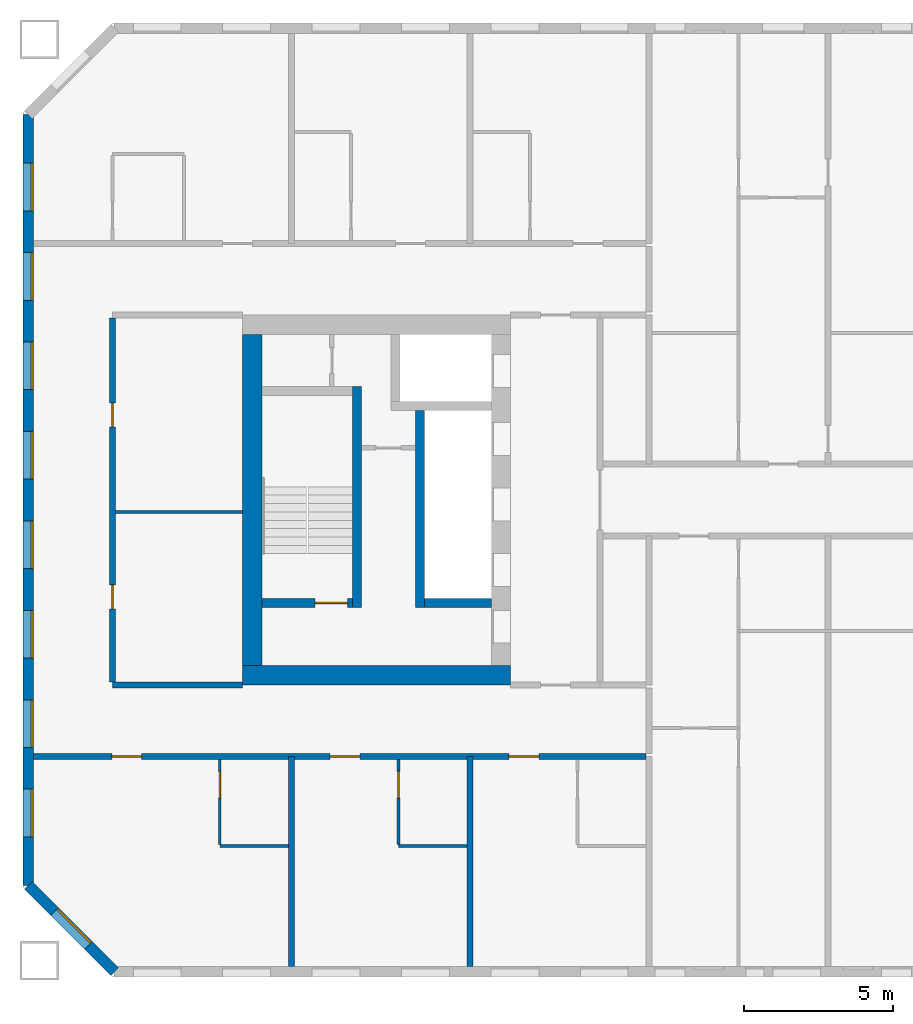
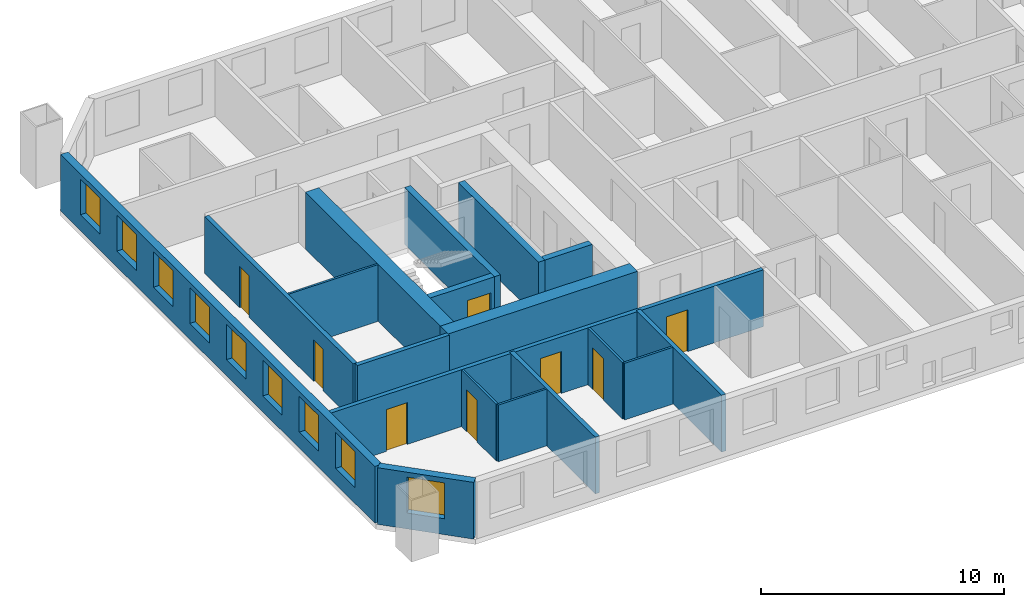
# One storey, part 2 of 16: 18 walls, 9 windows, 8 doors, 17 openings.
"""IFC4 building model written with IfcOpenShell, lengths in metres."""

from ifc_helpers import new_model, si_unit, direction, frame, frame_2d, origin, place, context, subcontext, project, spatial, rectangle, extrude, material, layer, layer_set, type_object, element, fill, save


model = new_model("IFC4")

# Units and contexts
model_context = context("Model", 3, precision=1e-05, world=origin(), true_north=direction((0.0, 1.0)))
body_context = subcontext(model_context, "Body", "Model", "MODEL_VIEW")
ifc_project = project(units=[si_unit("LENGTHUNIT", "METRE"), si_unit("AREAUNIT", "SQUARE_METRE"), si_unit("VOLUMEUNIT", "CUBIC_METRE"), si_unit("PLANEANGLEUNIT", "RADIAN"), si_unit("MASSUNIT", "GRAM", prefix="KILO")], contexts=[model_context])

# Site, building, storey
site_placement = place(None, origin())
site = spatial("IfcSite", under=ifc_project, at=site_placement, CompositionType="ELEMENT")
building_placement = place(site_placement, origin())
building = spatial("IfcBuilding", under=site, at=building_placement, Name="Tuart Gate Housing", CompositionType="ELEMENT")
storey_placement = place(building_placement, frame((0.0, 0.0, 111.89990234375)))
storey = spatial("IfcBuildingStorey", under=building, at=storey_placement, Name="L31", CompositionType="ELEMENT", Elevation=111.89990234375)

# Wall, opening, window
ifc_material_1 = material(Name="Brick", Category="masonry")
ifc_layer_1 = layer(ifc_material_1, 0.360107421875)
ifc_layer_set_1 = layer_set([ifc_layer_1], Name="Brick pier and spandrel wall 360")
wall_type_1 = type_object("IfcWallType", Name="Brick pier and spandrel wall 360", PredefinedType="STANDARD", material=ifc_layer_set_1)
wall_1_placement = place(storey_placement, frame((25.179931640625, 57.07470703125, 0.0), z_axis=(0.0, 0.0, 1.0), x_axis=(0.707106781187, -0.707106781187, 0.0)))
wall_1 = element("IfcWall", 1, at=wall_1_placement, inside=storey, type_object=wall_type_1, Name="External wall A-SW L31", PredefinedType="STANDARD", context=body_context, shape_type="SweptSolid", body=[
    extrude(rectangle(XDim=4.09375, YDim=0.360107421875, at=frame_2d((2.046875, 0.0))), origin(), (0.0, 0.0, 1.0), 2.85009765625),
])
opening_1_placement = place(wall_1_placement, frame((1.2470703125, 0.0, 0.800048828125)))
opening_1 = element("IfcOpeningElement", 2, at=opening_1_placement, cuts=wall_1, Name="Opening W1", PredefinedType="OPENING", context=body_context, shape_type="SweptSolid", body=[
    extrude(rectangle(XDim=1.60009765625, YDim=1.800048828125, at=frame_2d((0.800048828125, 0.89990234375))), frame((0.0, 0.18994140625, 0.0), z_axis=(0.0, -1.0, 0.0), x_axis=(1.0, 0.0, 0.0)), (0.0, 0.0, 1.0), 0.380126953125),
])
ifc_material_2 = material(Name="Aluminium frame with clear glass", Category="aluminium")
window_type = type_object("IfcWindowType", Name="Punched window 1600 x 1800", PartitioningType="SINGLE_PANEL", PredefinedType="WINDOW", material=ifc_material_2)
window_1_placement = place(opening_1_placement, origin())
window_1 = element("IfcWindow", 3, at=window_1_placement, inside=storey, type_object=window_type, Name="Window W1", OverallHeight=1.800048828125, OverallWidth=1.60009765625, PartitioningType="SINGLE_PANEL", PredefinedType="WINDOW", context=body_context, shape_type="SweptSolid", body=[
    extrude(rectangle(XDim=1.60009765625, YDim=1.800048828125, at=frame_2d((0.800048828125, 0.89990234375))), frame((0.0, 0.150146484375, 0.0), z_axis=(0.0, -1.0, 0.0), x_axis=(1.0, 0.0, 0.0)), (0.0, 0.0, 1.0), 0.06005859375),
])
fill(opening_1, window_1)

# Wall, openings, windows
wall_2_placement = place(storey_placement, frame((25.179931640625, 82.92529296875, 0.0), z_axis=(0.0, 0.0, 1.0), x_axis=(0.0, -1.0, 0.0)))
wall_2 = element("IfcWall", 4, at=wall_2_placement, inside=storey, type_object=wall_type_1, Name="External wall A-W L31", PredefinedType="STANDARD", context=body_context, shape_type="SweptSolid", body=[
    extrude(rectangle(XDim=25.850830078125, YDim=0.360107421875, at=frame_2d((12.92529296875, 0.0))), origin(), (0.0, 0.0, 1.0), 2.85009765625),
])
opening_2_placement = place(wall_2_placement, frame((1.62548828125, 0.0, 0.800048828125)))
opening_2 = element("IfcOpeningElement", 5, at=opening_2_placement, cuts=wall_2, Name="Opening W1", PredefinedType="OPENING", context=body_context, shape_type="SweptSolid", body=[
    extrude(rectangle(XDim=1.60009765625, YDim=1.800048828125, at=frame_2d((0.800048828125, 0.89990234375))), frame((0.0, 0.18994140625, 0.0), z_axis=(0.0, -1.0, 0.0), x_axis=(1.0, 0.0, 0.0)), (0.0, 0.0, 1.0), 0.380126953125),
])
opening_3_placement = place(wall_2_placement, frame((4.62548828125, 0.0, 0.800048828125)))
opening_3 = element("IfcOpeningElement", 6, at=opening_3_placement, cuts=wall_2, Name="Opening W1", PredefinedType="OPENING", context=body_context, shape_type="SweptSolid", body=[
    extrude(rectangle(XDim=1.60009765625, YDim=1.800048828125, at=frame_2d((0.800048828125, 0.89990234375))), frame((0.0, 0.18994140625, 0.0), z_axis=(0.0, -1.0, 0.0), x_axis=(1.0, 0.0, 0.0)), (0.0, 0.0, 1.0), 0.380126953125),
])
opening_4_placement = place(wall_2_placement, frame((7.62548828125, 0.0, 0.800048828125)))
opening_4 = element("IfcOpeningElement", 7, at=opening_4_placement, cuts=wall_2, Name="Opening W1", PredefinedType="OPENING", context=body_context, shape_type="SweptSolid", body=[
    extrude(rectangle(XDim=1.60009765625, YDim=1.800048828125, at=frame_2d((0.800048828125, 0.89990234375))), frame((0.0, 0.18994140625, 0.0), z_axis=(0.0, -1.0, 0.0), x_axis=(1.0, 0.0, 0.0)), (0.0, 0.0, 1.0), 0.380126953125),
])
opening_5_placement = place(wall_2_placement, frame((10.62548828125, 0.0, 0.800048828125)))
opening_5 = element("IfcOpeningElement", 8, at=opening_5_placement, cuts=wall_2, Name="Opening W1", PredefinedType="OPENING", context=body_context, shape_type="SweptSolid", body=[
    extrude(rectangle(XDim=1.60009765625, YDim=1.800048828125, at=frame_2d((0.800048828125, 0.89990234375))), frame((0.0, 0.18994140625, 0.0), z_axis=(0.0, -1.0, 0.0), x_axis=(1.0, 0.0, 0.0)), (0.0, 0.0, 1.0), 0.380126953125),
])
opening_6_placement = place(wall_2_placement, frame((13.62548828125, 0.0, 0.800048828125)))
opening_6 = element("IfcOpeningElement", 9, at=opening_6_placement, cuts=wall_2, Name="Opening W1", PredefinedType="OPENING", context=body_context, shape_type="SweptSolid", body=[
    extrude(rectangle(XDim=1.60009765625, YDim=1.800048828125, at=frame_2d((0.800048828125, 0.89990234375))), frame((0.0, 0.18994140625, 0.0), z_axis=(0.0, -1.0, 0.0), x_axis=(1.0, 0.0, 0.0)), (0.0, 0.0, 1.0), 0.380126953125),
])
opening_7_placement = place(wall_2_placement, frame((16.62548828125, 0.0, 0.800048828125)))
opening_7 = element("IfcOpeningElement", 10, at=opening_7_placement, cuts=wall_2, Name="Opening W1", PredefinedType="OPENING", context=body_context, shape_type="SweptSolid", body=[
    extrude(rectangle(XDim=1.60009765625, YDim=1.800048828125, at=frame_2d((0.800048828125, 0.89990234375))), frame((0.0, 0.18994140625, 0.0), z_axis=(0.0, -1.0, 0.0), x_axis=(1.0, 0.0, 0.0)), (0.0, 0.0, 1.0), 0.380126953125),
])
opening_8_placement = place(wall_2_placement, frame((19.62548828125, 0.0, 0.800048828125)))
opening_8 = element("IfcOpeningElement", 11, at=opening_8_placement, cuts=wall_2, Name="Opening W1", PredefinedType="OPENING", context=body_context, shape_type="SweptSolid", body=[
    extrude(rectangle(XDim=1.60009765625, YDim=1.800048828125, at=frame_2d((0.800048828125, 0.89990234375))), frame((0.0, 0.18994140625, 0.0), z_axis=(0.0, -1.0, 0.0), x_axis=(1.0, 0.0, 0.0)), (0.0, 0.0, 1.0), 0.380126953125),
])
opening_9_placement = place(wall_2_placement, frame((22.62548828125, 0.0, 0.800048828125)))
opening_9 = element("IfcOpeningElement", 12, at=opening_9_placement, cuts=wall_2, Name="Opening W1", PredefinedType="OPENING", context=body_context, shape_type="SweptSolid", body=[
    extrude(rectangle(XDim=1.60009765625, YDim=1.800048828125, at=frame_2d((0.800048828125, 0.89990234375))), frame((0.0, 0.18994140625, 0.0), z_axis=(0.0, -1.0, 0.0), x_axis=(1.0, 0.0, 0.0)), (0.0, 0.0, 1.0), 0.380126953125),
])
window_2_placement = place(opening_2_placement, origin())
window_2 = element("IfcWindow", 13, at=window_2_placement, inside=storey, type_object=window_type, Name="Window W1", OverallHeight=1.800048828125, OverallWidth=1.60009765625, PartitioningType="SINGLE_PANEL", PredefinedType="WINDOW", context=body_context, shape_type="SweptSolid", body=[
    extrude(rectangle(XDim=1.60009765625, YDim=1.800048828125, at=frame_2d((0.800048828125, 0.89990234375))), frame((0.0, 0.150146484375, 0.0), z_axis=(0.0, -1.0, 0.0), x_axis=(1.0, 0.0, 0.0)), (0.0, 0.0, 1.0), 0.06005859375),
])
fill(opening_2, window_2)
window_3_placement = place(opening_3_placement, origin())
window_3 = element("IfcWindow", 14, at=window_3_placement, inside=storey, type_object=window_type, Name="Window W1", OverallHeight=1.800048828125, OverallWidth=1.60009765625, PartitioningType="SINGLE_PANEL", PredefinedType="WINDOW", context=body_context, shape_type="SweptSolid", body=[
    extrude(rectangle(XDim=1.60009765625, YDim=1.800048828125, at=frame_2d((0.800048828125, 0.89990234375))), frame((0.0, 0.150146484375, 0.0), z_axis=(0.0, -1.0, 0.0), x_axis=(1.0, 0.0, 0.0)), (0.0, 0.0, 1.0), 0.06005859375),
])
fill(opening_3, window_3)
window_4_placement = place(opening_4_placement, origin())
window_4 = element("IfcWindow", 15, at=window_4_placement, inside=storey, type_object=window_type, Name="Window W1", OverallHeight=1.800048828125, OverallWidth=1.60009765625, PartitioningType="SINGLE_PANEL", PredefinedType="WINDOW", context=body_context, shape_type="SweptSolid", body=[
    extrude(rectangle(XDim=1.60009765625, YDim=1.800048828125, at=frame_2d((0.800048828125, 0.89990234375))), frame((0.0, 0.150146484375, 0.0), z_axis=(0.0, -1.0, 0.0), x_axis=(1.0, 0.0, 0.0)), (0.0, 0.0, 1.0), 0.06005859375),
])
fill(opening_4, window_4)
window_5_placement = place(opening_5_placement, origin())
window_5 = element("IfcWindow", 16, at=window_5_placement, inside=storey, type_object=window_type, Name="Window W1", OverallHeight=1.800048828125, OverallWidth=1.60009765625, PartitioningType="SINGLE_PANEL", PredefinedType="WINDOW", context=body_context, shape_type="SweptSolid", body=[
    extrude(rectangle(XDim=1.60009765625, YDim=1.800048828125, at=frame_2d((0.800048828125, 0.89990234375))), frame((0.0, 0.150146484375, 0.0), z_axis=(0.0, -1.0, 0.0), x_axis=(1.0, 0.0, 0.0)), (0.0, 0.0, 1.0), 0.06005859375),
])
fill(opening_5, window_5)
window_6_placement = place(opening_6_placement, origin())
window_6 = element("IfcWindow", 17, at=window_6_placement, inside=storey, type_object=window_type, Name="Window W1", OverallHeight=1.800048828125, OverallWidth=1.60009765625, PartitioningType="SINGLE_PANEL", PredefinedType="WINDOW", context=body_context, shape_type="SweptSolid", body=[
    extrude(rectangle(XDim=1.60009765625, YDim=1.800048828125, at=frame_2d((0.800048828125, 0.89990234375))), frame((0.0, 0.150146484375, 0.0), z_axis=(0.0, -1.0, 0.0), x_axis=(1.0, 0.0, 0.0)), (0.0, 0.0, 1.0), 0.06005859375),
])
fill(opening_6, window_6)
window_7_placement = place(opening_7_placement, origin())
window_7 = element("IfcWindow", 18, at=window_7_placement, inside=storey, type_object=window_type, Name="Window W1", OverallHeight=1.800048828125, OverallWidth=1.60009765625, PartitioningType="SINGLE_PANEL", PredefinedType="WINDOW", context=body_context, shape_type="SweptSolid", body=[
    extrude(rectangle(XDim=1.60009765625, YDim=1.800048828125, at=frame_2d((0.800048828125, 0.89990234375))), frame((0.0, 0.150146484375, 0.0), z_axis=(0.0, -1.0, 0.0), x_axis=(1.0, 0.0, 0.0)), (0.0, 0.0, 1.0), 0.06005859375),
])
fill(opening_7, window_7)
window_8_placement = place(opening_8_placement, origin())
window_8 = element("IfcWindow", 19, at=window_8_placement, inside=storey, type_object=window_type, Name="Window W1", OverallHeight=1.800048828125, OverallWidth=1.60009765625, PartitioningType="SINGLE_PANEL", PredefinedType="WINDOW", context=body_context, shape_type="SweptSolid", body=[
    extrude(rectangle(XDim=1.60009765625, YDim=1.800048828125, at=frame_2d((0.800048828125, 0.89990234375))), frame((0.0, 0.150146484375, 0.0), z_axis=(0.0, -1.0, 0.0), x_axis=(1.0, 0.0, 0.0)), (0.0, 0.0, 1.0), 0.06005859375),
])
fill(opening_8, window_8)
window_9_placement = place(opening_9_placement, origin())
window_9 = element("IfcWindow", 20, at=window_9_placement, inside=storey, type_object=window_type, Name="Window W1", OverallHeight=1.800048828125, OverallWidth=1.60009765625, PartitioningType="SINGLE_PANEL", PredefinedType="WINDOW", context=body_context, shape_type="SweptSolid", body=[
    extrude(rectangle(XDim=1.60009765625, YDim=1.800048828125, at=frame_2d((0.800048828125, 0.89990234375))), frame((0.0, 0.150146484375, 0.0), z_axis=(0.0, -1.0, 0.0), x_axis=(1.0, 0.0, 0.0)), (0.0, 0.0, 1.0), 0.06005859375),
])
fill(opening_9, window_9)

# Wall
ifc_material_3 = material(Name="Concrete C50", Category="concrete")
ifc_layer_2 = layer(ifc_material_3, 0.300048828125)
ifc_layer_set_2 = layer_set([ifc_layer_2], Name="Core wall 300 C50")
wall_type_2 = type_object("IfcWallType", Name="Core wall 300 C50", PredefinedType="SHEAR", material=ifc_layer_set_2)
wall_3_placement = place(storey_placement, frame((40.7099609375, 66.550048828125, 0.0), z_axis=(0.0, 0.0, 1.0), x_axis=(-1.0, 0.0, 0.0)))
element("IfcWall", 21, at=wall_3_placement, inside=storey, type_object=wall_type_2, Name="Core wall AK.4", PredefinedType="SHEAR", context=body_context, shape_type="SweptSolid", body=[
    extrude(rectangle(XDim=2.25, YDim=0.300048828125, at=frame_2d((1.125, 0.0))), origin(), (0.0, 0.0, 1.0), 2.85009765625),
])

# Wall, opening, door
wall_4_placement = place(storey_placement, frame((36.06005859375, 66.550048828125, 0.0), z_axis=(0.0, 0.0, 1.0), x_axis=(-1.0, 0.0, 0.0)))
wall_4 = element("IfcWall", 22, at=wall_4_placement, inside=storey, type_object=wall_type_2, Name="Core wall AK.5", PredefinedType="SHEAR", context=body_context, shape_type="SweptSolid", body=[
    extrude(rectangle(XDim=3.050048828125, YDim=0.300048828125, at=frame_2d((1.52490234375, 0.0))), origin(), (0.0, 0.0, 1.0), 2.85009765625),
])
opening_10_placement = place(wall_4_placement, frame((0.169921875, 0.0, 0.0)))
opening_10 = element("IfcOpeningElement", 23, at=opening_10_placement, cuts=wall_4, Name="Opening D1215", PredefinedType="OPENING", context=body_context, shape_type="SweptSolid", body=[
    extrude(rectangle(XDim=1.10009765625, YDim=2.10009765625, at=frame_2d((0.550048828125, 1.050048828125))), frame((0.0, 0.159912109375, 0.0), z_axis=(0.0, -1.0, 0.0), x_axis=(1.0, 0.0, 0.0)), (0.0, 0.0, 1.0), 0.320068359375),
])
ifc_material_4 = material(Name="Steel fire door", Category="steel")
door_type_1 = type_object("IfcDoorType", Name="Stair door 1100 x 2100 RH", OperationType="SINGLE_SWING_RIGHT", PredefinedType="DOOR", material=ifc_material_4)
door_1_placement = place(opening_10_placement, frame((1.10009765625, 0.0, 0.0), z_axis=(0.0, 0.0, 1.0), x_axis=(-1.0, 0.0, 0.0)))
door_1 = element("IfcDoor", 24, at=door_1_placement, inside=storey, type_object=door_type_1, Name="Stair door AK.SD", OperationType="SINGLE_SWING_RIGHT", OverallHeight=2.10009765625, OverallWidth=1.10009765625, PredefinedType="DOOR", context=body_context, shape_type="SweptSolid", body=[
    extrude(rectangle(XDim=1.10009765625, YDim=2.10009765625, at=frame_2d((0.550048828125, 1.050048828125))), frame((0.0, 0.025146484375, 0.0), z_axis=(0.0, -1.0, 0.0), x_axis=(1.0, 0.0, 0.0)), (0.0, 0.0, 1.0), 0.050048828125),
])
fill(opening_10, door_1)

# Walls
wall_5_placement = place(storey_placement, frame((38.31005859375, 73.0, 0.0), z_axis=(0.0, 0.0, 1.0), x_axis=(0.0, -1.0, 0.0)))
element("IfcWall", 25, at=wall_5_placement, inside=storey, type_object=wall_type_2, Name="Core wall AK.6", PredefinedType="SHEAR", context=body_context, shape_type="SweptSolid", body=[
    extrude(rectangle(XDim=6.60009765625, YDim=0.300048828125, at=frame_2d((3.300048828125, 0.0))), origin(), (0.0, 0.0, 1.0), 2.85009765625),
])
wall_6_placement = place(storey_placement, frame((36.2099609375, 73.800048828125, 0.0), z_axis=(0.0, 0.0, 1.0), x_axis=(0.0, -1.0, 0.0)))
element("IfcWall", 26, at=wall_6_placement, inside=storey, type_object=wall_type_2, Name="Core wall AK.8", PredefinedType="SHEAR", context=body_context, shape_type="SweptSolid", body=[
    extrude(rectangle(XDim=7.400146484375, YDim=0.300048828125, at=frame_2d((3.7001953125, 0.0))), origin(), (0.0, 0.0, 1.0), 2.85009765625),
])
ifc_material_5 = material(Name="Concrete C50", Category="concrete")
ifc_layer_3 = layer(ifc_material_5, 0.64990234375)
ifc_layer_set_3 = layer_set([ifc_layer_3], Name="Core wall 650 C50")
wall_type_3 = type_object("IfcWallType", Name="Core wall 650 C50", PredefinedType="SHEAR", material=ifc_layer_set_3)
wall_7_placement = place(storey_placement, frame((32.68505859375, 75.550048828125, 0.0), z_axis=(0.0, 0.0, 1.0), x_axis=(0.0, -1.0, 0.0)))
element("IfcWall", 27, at=wall_7_placement, inside=storey, type_object=wall_type_3, Name="Core wall AK back", PredefinedType="SHEAR", context=body_context, shape_type="SweptSolid", body=[
    extrude(rectangle(XDim=11.10009765625, YDim=0.64990234375, at=frame_2d((5.550048828125, 0.0))), origin(), (0.0, 0.0, 1.0), 2.85009765625),
])
wall_8_placement = place(storey_placement, frame((41.360107421875, 64.125, 0.0), z_axis=(0.0, 0.0, 1.0), x_axis=(-1.0, 0.0, 0.0)))
element("IfcWall", 28, at=wall_8_placement, inside=storey, type_object=wall_type_3, Name="Core wall AK north", PredefinedType="SHEAR", context=body_context, shape_type="SweptSolid", body=[
    extrude(rectangle(XDim=9.0, YDim=0.64990234375, at=frame_2d((4.5, 0.0))), origin(), (0.0, 0.0, 1.0), 2.85009765625),
])

# Wall, openings, doors
ifc_material_6 = material(Name="Concrete masonry 15 MPa", Category="masonry")
ifc_layer_4 = layer(ifc_material_6, 0.199951171875)
ifc_layer_set_4 = layer_set([ifc_layer_4], Name="Corridor wall masonry 200")
wall_type_4 = type_object("IfcWallType", Name="Corridor wall masonry 200", PredefinedType="PARTITIONING", material=ifc_layer_set_4)
wall_9_placement = place(storey_placement, frame((25.360107421875, 61.39990234375, 0.0), z_axis=(0.0, 0.0, 1.0), x_axis=(1.0, 0.0, 0.0)))
wall_9 = element("IfcWall", 29, at=wall_9_placement, inside=storey, type_object=wall_type_4, Name="Corridor wall masonry 200", PredefinedType="PARTITIONING", context=body_context, shape_type="SweptSolid", body=[
    extrude(rectangle(XDim=20.539794921875, YDim=0.199951171875, at=frame_2d((10.27001953125, 0.0))), origin(), (0.0, 0.0, 1.0), 2.85009765625),
])
opening_11_placement = place(wall_9_placement, frame((15.93994140625, 0.0, 0.0)))
opening_11 = element("IfcOpeningElement", 30, at=opening_11_placement, cuts=wall_9, Name="Opening D1226", PredefinedType="OPENING", context=body_context, shape_type="SweptSolid", body=[
    extrude(rectangle(XDim=1.0, YDim=2.10009765625, at=frame_2d((0.5, 1.050048828125))), frame((0.0, 0.10986328125, 0.0), z_axis=(0.0, -1.0, 0.0), x_axis=(1.0, 0.0, 0.0)), (0.0, 0.0, 1.0), 0.219970703125),
])
opening_12_placement = place(wall_9_placement, frame((9.93994140625, 0.0, 0.0)))
opening_12 = element("IfcOpeningElement", 31, at=opening_12_placement, cuts=wall_9, Name="Opening D1227", PredefinedType="OPENING", context=body_context, shape_type="SweptSolid", body=[
    extrude(rectangle(XDim=1.0, YDim=2.10009765625, at=frame_2d((0.5, 1.050048828125))), frame((0.0, 0.10986328125, 0.0), z_axis=(0.0, -1.0, 0.0), x_axis=(1.0, 0.0, 0.0)), (0.0, 0.0, 1.0), 0.219970703125),
])
opening_13_placement = place(wall_9_placement, frame((2.6201171875, 0.0, 0.0)))
opening_13 = element("IfcOpeningElement", 32, at=opening_13_placement, cuts=wall_9, Name="Opening D1228", PredefinedType="OPENING", context=body_context, shape_type="SweptSolid", body=[
    extrude(rectangle(XDim=1.0, YDim=2.10009765625, at=frame_2d((0.5, 1.050048828125))), frame((0.0, 0.10986328125, 0.0), z_axis=(0.0, -1.0, 0.0), x_axis=(1.0, 0.0, 0.0)), (0.0, 0.0, 1.0), 0.219970703125),
])
ifc_material_7 = material(Name="Timber door leaf in steel frame", Category="steel")
door_type_2 = type_object("IfcDoorType", Name="Flat entrance door 1000 RH", OperationType="SINGLE_SWING_RIGHT", PredefinedType="DOOR", material=ifc_material_7)
door_2_placement = place(opening_11_placement, frame((1.0, 0.0, 0.0), z_axis=(0.0, 0.0, 1.0), x_axis=(-1.0, 0.0, 0.0)))
door_2 = element("IfcDoor", 33, at=door_2_placement, inside=storey, type_object=door_type_2, Name="Flat entrance door", OperationType="SINGLE_SWING_RIGHT", OverallHeight=2.10009765625, OverallWidth=1.0, PredefinedType="DOOR", context=body_context, shape_type="SweptSolid", body=[
    extrude(rectangle(XDim=1.0, YDim=2.10009765625, at=frame_2d((0.5, 1.050048828125))), frame((0.0, 0.025146484375, 0.0), z_axis=(0.0, -1.0, 0.0), x_axis=(1.0, 0.0, 0.0)), (0.0, 0.0, 1.0), 0.050048828125),
])
fill(opening_11, door_2)
door_3_placement = place(opening_12_placement, frame((1.0, 0.0, 0.0), z_axis=(0.0, 0.0, 1.0), x_axis=(-1.0, 0.0, 0.0)))
door_3 = element("IfcDoor", 34, at=door_3_placement, inside=storey, type_object=door_type_2, Name="Flat entrance door", OperationType="SINGLE_SWING_RIGHT", OverallHeight=2.10009765625, OverallWidth=1.0, PredefinedType="DOOR", context=body_context, shape_type="SweptSolid", body=[
    extrude(rectangle(XDim=1.0, YDim=2.10009765625, at=frame_2d((0.5, 1.050048828125))), frame((0.0, 0.025146484375, 0.0), z_axis=(0.0, -1.0, 0.0), x_axis=(1.0, 0.0, 0.0)), (0.0, 0.0, 1.0), 0.050048828125),
])
fill(opening_12, door_3)
door_4_placement = place(opening_13_placement, frame((1.0, 0.0, 0.0), z_axis=(0.0, 0.0, 1.0), x_axis=(-1.0, 0.0, 0.0)))
door_4 = element("IfcDoor", 35, at=door_4_placement, inside=storey, type_object=door_type_2, Name="Flat entrance door", OperationType="SINGLE_SWING_RIGHT", OverallHeight=2.10009765625, OverallWidth=1.0, PredefinedType="DOOR", context=body_context, shape_type="SweptSolid", body=[
    extrude(rectangle(XDim=1.0, YDim=2.10009765625, at=frame_2d((0.5, 1.050048828125))), frame((0.0, 0.025146484375, 0.0), z_axis=(0.0, -1.0, 0.0), x_axis=(1.0, 0.0, 0.0)), (0.0, 0.0, 1.0), 0.050048828125),
])
fill(opening_13, door_4)

# Wall
wall_10_placement = place(storey_placement, frame((28.0, 63.800048828125, 0.0), z_axis=(0.0, 0.0, 1.0), x_axis=(1.0, 0.0, 0.0)))
element("IfcWall", 36, at=wall_10_placement, inside=storey, type_object=wall_type_4, Name="Corridor wall masonry 200", PredefinedType="PARTITIONING", context=body_context, shape_type="SweptSolid", body=[
    extrude(rectangle(XDim=4.360107421875, YDim=0.199951171875, at=frame_2d((2.18017578125, 0.0))), origin(), (0.0, 0.0, 1.0), 2.85009765625),
])

# Wall, openings, doors
wall_11_placement = place(storey_placement, frame((28.0, 63.89990234375, 0.0), z_axis=(0.0, 0.0, 1.0), x_axis=(0.0, 1.0, 0.0)))
wall_11 = element("IfcWall", 37, at=wall_11_placement, inside=storey, type_object=wall_type_4, Name="Corridor wall masonry 200", PredefinedType="PARTITIONING", context=body_context, shape_type="SweptSolid", body=[
    extrude(rectangle(XDim=12.2001953125, YDim=0.199951171875, at=frame_2d((6.10009765625, 0.0))), origin(), (0.0, 0.0, 1.0), 2.85009765625),
])
opening_14_placement = place(wall_11_placement, frame((2.449951171875, 0.0, 0.0)))
opening_14 = element("IfcOpeningElement", 38, at=opening_14_placement, cuts=wall_11, Name="Opening D1205", PredefinedType="OPENING", context=body_context, shape_type="SweptSolid", body=[
    extrude(rectangle(XDim=0.800048828125, YDim=2.10009765625, at=frame_2d((0.39990234375, 1.050048828125))), frame((0.0, 0.10986328125, 0.0), z_axis=(0.0, -1.0, 0.0), x_axis=(1.0, 0.0, 0.0)), (0.0, 0.0, 1.0), 0.219970703125),
])
opening_15_placement = place(wall_11_placement, frame((8.550048828125, 0.0, 0.0)))
opening_15 = element("IfcOpeningElement", 39, at=opening_15_placement, cuts=wall_11, Name="Opening D1206", PredefinedType="OPENING", context=body_context, shape_type="SweptSolid", body=[
    extrude(rectangle(XDim=0.800048828125, YDim=2.10009765625, at=frame_2d((0.39990234375, 1.050048828125))), frame((0.0, 0.10986328125, 0.0), z_axis=(0.0, -1.0, 0.0), x_axis=(1.0, 0.0, 0.0)), (0.0, 0.0, 1.0), 0.219970703125),
])
ifc_material_8 = material(Name="Timber door leaf in steel frame", Category="steel")
door_type_3 = type_object("IfcDoorType", Name="Store door 800", OperationType="SINGLE_SWING_LEFT", PredefinedType="DOOR", material=ifc_material_8)
door_5_placement = place(opening_14_placement, frame((0.800048828125, 0.0, 0.0), z_axis=(0.0, 0.0, 1.0), x_axis=(-1.0, 0.0, 0.0)))
door_5 = element("IfcDoor", 40, at=door_5_placement, inside=storey, type_object=door_type_3, Name="Store door", OperationType="SINGLE_SWING_LEFT", OverallHeight=2.10009765625, OverallWidth=0.800048828125, PredefinedType="DOOR", context=body_context, shape_type="SweptSolid", body=[
    extrude(rectangle(XDim=0.800048828125, YDim=2.10009765625, at=frame_2d((0.400146484375, 1.050048828125))), frame((0.0, 0.025146484375, 0.0), z_axis=(0.0, -1.0, 0.0), x_axis=(1.0, 0.0, 0.0)), (0.0, 0.0, 1.0), 0.050048828125),
])
fill(opening_14, door_5)
ifc_material_9 = material(Name="Timber door leaf in steel frame", Category="steel")
door_type_4 = type_object("IfcDoorType", Name="Store door 800 RH", OperationType="SINGLE_SWING_RIGHT", PredefinedType="DOOR", material=ifc_material_9)
door_6_placement = place(opening_15_placement, frame((0.800048828125, 0.0, 0.0), z_axis=(0.0, 0.0, 1.0), x_axis=(-1.0, 0.0, 0.0)))
door_6 = element("IfcDoor", 41, at=door_6_placement, inside=storey, type_object=door_type_4, Name="Store door", OperationType="SINGLE_SWING_RIGHT", OverallHeight=2.10009765625, OverallWidth=0.800048828125, PredefinedType="DOOR", context=body_context, shape_type="SweptSolid", body=[
    extrude(rectangle(XDim=0.800048828125, YDim=2.10009765625, at=frame_2d((0.400146484375, 1.050048828125))), frame((0.0, 0.025146484375, 0.0), z_axis=(0.0, -1.0, 0.0), x_axis=(1.0, 0.0, 0.0)), (0.0, 0.0, 1.0), 0.050048828125),
])
fill(opening_15, door_6)

# Walls
ifc_material_10 = material(Name="Gypsum board on steel studs", Category="steel")
ifc_layer_5 = layer(ifc_material_10, 0.10009765625)
ifc_layer_set_5 = layer_set([ifc_layer_5], Name="Partition 100")
wall_type_5 = type_object("IfcWallType", Name="Partition 100", PredefinedType="PARTITIONING", material=ifc_layer_set_5)
for number, where, z_axis, x_axis, name in (
    (42, (31.60009765625, 58.39990234375, 0.0), (0.0, 0.0, 1.0), (1.0, 0.0, 0.0), "Partition 100"),
    (43, (37.60009765625, 58.39990234375, 0.0), (0.0, 0.0, 1.0), (1.0, 0.0, 0.0), "Partition 100"),
):
    element("IfcWall", number, at=place(storey_placement, frame(where, z_axis=z_axis, x_axis=x_axis)), inside=storey, type_object=wall_type_5, Name=name, PredefinedType="PARTITIONING", context=body_context, shape_type="SweptSolid", body=[
        extrude(rectangle(XDim=2.2998046875, YDim=0.10009765625, at=frame_2d((1.14990234375, 0.0))), origin(), (0.0, 0.0, 1.0), 2.85009765625),
    ])
wall_12_placement = place(storey_placement, frame((28.10009765625, 69.60009765625, 0.0), z_axis=(0.0, 0.0, 1.0), x_axis=(1.0, 0.0, 0.0)))
element("IfcWall", 44, at=wall_12_placement, inside=storey, type_object=wall_type_5, Name="Partition 100", PredefinedType="PARTITIONING", context=body_context, shape_type="SweptSolid", body=[
    extrude(rectangle(XDim=4.260009765625, YDim=0.10009765625, at=frame_2d((2.1298828125, 0.0))), origin(), (0.0, 0.0, 1.0), 2.85009765625),
])

# Wall, opening, door
wall_13_placement = place(storey_placement, frame((31.60009765625, 58.449951171875, 0.0), z_axis=(0.0, 0.0, 1.0), x_axis=(0.0, 1.0, 0.0)))
wall_13 = element("IfcWall", 45, at=wall_13_placement, inside=storey, type_object=wall_type_5, Name="Partition 100", PredefinedType="PARTITIONING", context=body_context, shape_type="SweptSolid", body=[
    extrude(rectangle(XDim=2.85009765625, YDim=0.10009765625, at=frame_2d((1.425048828125, 0.0))), origin(), (0.0, 0.0, 1.0), 2.85009765625),
])
opening_16_placement = place(wall_13_placement, frame((1.550048828125, 0.0, 0.0)))
opening_16 = element("IfcOpeningElement", 46, at=opening_16_placement, cuts=wall_13, Name="Opening D1232", PredefinedType="OPENING", context=body_context, shape_type="SweptSolid", body=[
    extrude(rectangle(XDim=0.89990234375, YDim=2.10009765625, at=frame_2d((0.449951171875, 1.050048828125))), frame((0.0, 0.06005859375, 0.0), z_axis=(0.0, -1.0, 0.0), x_axis=(1.0, 0.0, 0.0)), (0.0, 0.0, 1.0), 0.1201171875),
])
ifc_material_11 = material(Name="Timber door leaf in steel frame", Category="steel")
door_type_5 = type_object("IfcDoorType", Name="Bathroom door 900", OperationType="SINGLE_SWING_LEFT", PredefinedType="DOOR", material=ifc_material_11)
door_7_placement = place(opening_16_placement, frame((0.89990234375, 0.0, 0.0), z_axis=(0.0, 0.0, 1.0), x_axis=(-1.0, 0.0, 0.0)))
door_7 = element("IfcDoor", 47, at=door_7_placement, inside=storey, type_object=door_type_5, Name="Bathroom door", OperationType="SINGLE_SWING_LEFT", OverallHeight=2.10009765625, OverallWidth=0.89990234375, PredefinedType="DOOR", context=body_context, shape_type="SweptSolid", body=[
    extrude(rectangle(XDim=0.89990234375, YDim=2.10009765625, at=frame_2d((0.449951171875, 1.050048828125))), frame((0.0, 0.025146484375, 0.0), z_axis=(0.0, -1.0, 0.0), x_axis=(1.0, 0.0, 0.0)), (0.0, 0.0, 1.0), 0.050048828125),
])
fill(opening_16, door_7)

wall_14_placement = place(storey_placement, frame((37.60009765625, 58.449951171875, 0.0), z_axis=(0.0, 0.0, 1.0), x_axis=(0.0, 1.0, 0.0)))
wall_14 = element("IfcWall", 48, at=wall_14_placement, inside=storey, type_object=wall_type_5, Name="Partition 100", PredefinedType="PARTITIONING", context=body_context, shape_type="SweptSolid", body=[
    extrude(rectangle(XDim=2.85009765625, YDim=0.10009765625, at=frame_2d((1.425048828125, 0.0))), origin(), (0.0, 0.0, 1.0), 2.85009765625),
])
opening_17_placement = place(wall_14_placement, frame((1.550048828125, 0.0, 0.0)))
opening_17 = element("IfcOpeningElement", 49, at=opening_17_placement, cuts=wall_14, Name="Opening D1233", PredefinedType="OPENING", context=body_context, shape_type="SweptSolid", body=[
    extrude(rectangle(XDim=0.89990234375, YDim=2.10009765625, at=frame_2d((0.449951171875, 1.050048828125))), frame((0.0, 0.06005859375, 0.0), z_axis=(0.0, -1.0, 0.0), x_axis=(1.0, 0.0, 0.0)), (0.0, 0.0, 1.0), 0.1201171875),
])
door_8_placement = place(opening_17_placement, frame((0.89990234375, 0.0, 0.0), z_axis=(0.0, 0.0, 1.0), x_axis=(-1.0, 0.0, 0.0)))
door_8 = element("IfcDoor", 50, at=door_8_placement, inside=storey, type_object=door_type_5, Name="Bathroom door", OperationType="SINGLE_SWING_LEFT", OverallHeight=2.10009765625, OverallWidth=0.89990234375, PredefinedType="DOOR", context=body_context, shape_type="SweptSolid", body=[
    extrude(rectangle(XDim=0.89990234375, YDim=2.10009765625, at=frame_2d((0.449951171875, 1.050048828125))), frame((0.0, 0.025146484375, 0.0), z_axis=(0.0, -1.0, 0.0), x_axis=(1.0, 0.0, 0.0)), (0.0, 0.0, 1.0), 0.050048828125),
])
fill(opening_17, door_8)

# Walls
ifc_material_12 = material(Name="Concrete C40", Category="concrete")
ifc_layer_6 = layer(ifc_material_12, 0.199951171875)
ifc_layer_set_6 = layer_set([ifc_layer_6], Name="Party wall concrete C40 200")
wall_type_6 = type_object("IfcWallType", Name="Party wall concrete C40 200", PredefinedType="SOLIDWALL", material=ifc_layer_set_6)
for number, where, z_axis, x_axis, name in (
    (51, (34.0, 54.360107421875, 0.0), (0.0, 0.0, 1.0), (0.0, 1.0, 0.0), "Party wall concrete C40 200"),
    (52, (40.0, 54.360107421875, 0.0), (0.0, 0.0, 1.0), (0.0, 1.0, 0.0), "Party wall concrete C40 200"),
):
    element("IfcWall", number, at=place(storey_placement, frame(where, z_axis=z_axis, x_axis=x_axis)), inside=storey, type_object=wall_type_6, Name=name, PredefinedType="SOLIDWALL", context=body_context, shape_type="SweptSolid", body=[
        extrude(rectangle(XDim=7.039794921875, YDim=0.199951171875, at=frame_2d((3.52001953125, 0.0))), origin(), (0.0, 0.0, 1.0), 2.85009765625),
    ])

save(model, "model.ifc")
